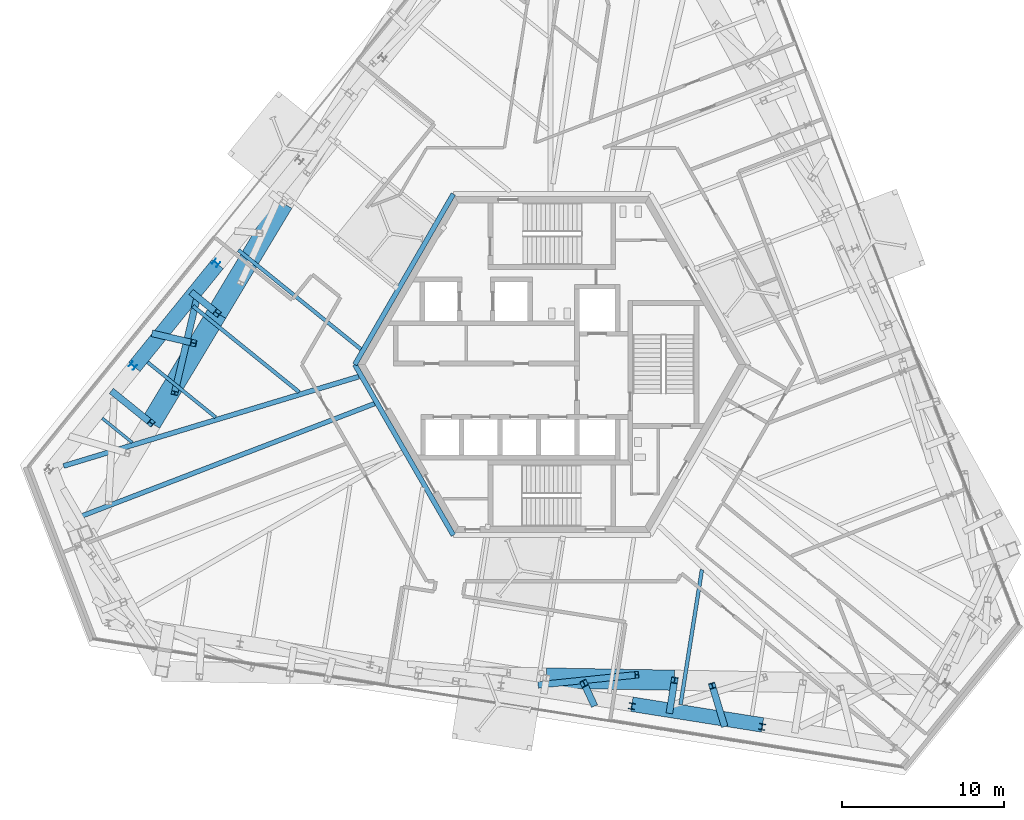
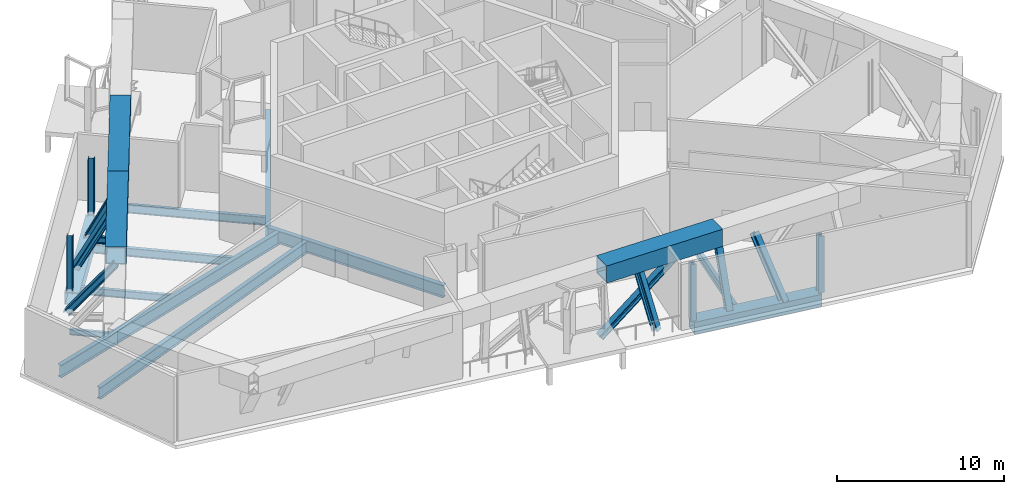
# One storey, part 2 of 14: 17 members, 9 beams.
"""IFC4 building model written with IfcOpenShell, lengths in metres."""

from ifc_helpers import new_model, si_unit, direction, frame, origin, origin_2d, place, context, subcontext, project, spatial, hollow_rectangle, i_section, extrude, source, transform, mapped, material, material_profile, profile_set, type_object, element, save


model = new_model("IFC4")

# Units and contexts
model_context = context("Model", 3, precision=1e-05, world=origin(), true_north=direction((0.0, 1.0)))
body_context = subcontext(model_context, "Body", "Model", "MODEL_VIEW")
ifc_project = project(units=[si_unit("LENGTHUNIT", "METRE"), si_unit("AREAUNIT", "SQUARE_METRE"), si_unit("VOLUMEUNIT", "CUBIC_METRE"), si_unit("PLANEANGLEUNIT", "RADIAN"), si_unit("MASSUNIT", "GRAM", prefix="KILO")], contexts=[model_context])

# Site, building, storey
site_placement = place(None, origin())
site = spatial("IfcSite", under=ifc_project, at=site_placement, CompositionType="ELEMENT")
building_placement = place(site_placement, origin())
building = spatial("IfcBuilding", under=site, at=building_placement, Name="Triune Harvest Tower", CompositionType="ELEMENT")
storey_placement = place(building_placement, frame((0.0, 0.0, 174.925048828125)))
storey = spatial("IfcBuildingStorey", under=building, at=storey_placement, Name="L45", CompositionType="ELEMENT", Elevation=174.925048828125)

# Beams
ifc_material_1 = material(Name="Steel ASTM A992 Gr 50", Category="steel")
ifc_material_profile_1 = material_profile(ifc_material_1, i_section(OverallWidth=0.307373046875, OverallDepth=0.922119140625, WebThickness=0.018310546875, FlangeThickness=0.030029296875, at=origin_2d()), Name="W36x182")
ifc_profile_set_1 = profile_set([ifc_material_profile_1], Name="Steel ASTM A992 Gr 50")
beam_type_1 = type_object("IfcBeamType", Name="HG-2 Hip girder W36x182", PredefinedType="BEAM", material=ifc_profile_set_1)
beam_1_placement = place(storey_placement, frame((-30.180419921875, -6.264892578125, -0.7109375), z_axis=(0.95709854869, 0.289762606448, 0.0), x_axis=(-0.289762606448, 0.95709854869, 0.0)))
element("IfcBeam", 1, at=beam_1_placement, inside=storey, type_object=beam_type_1, Name="beam/L45/HG5", PredefinedType="BEAM", context=body_context, shape_type="SweptSolid", body=[
    extrude(i_section(OverallWidth=0.307373046875, OverallDepth=0.922119140625, WebThickness=0.018310546875, FlangeThickness=0.030029296875, at=origin_2d()), origin(), (0.0, 0.0, 1.0), 19.072998046875),
])
ifc_material_2 = material(Name="Steel ASTM A992 Gr 50", Category="steel")
ifc_material_profile_2 = material_profile(ifc_material_2, i_section(OverallWidth=0.22900390625, OverallDepth=0.612060546875, WebThickness=0.011962890625, FlangeThickness=0.01953125, at=origin_2d()), Name="W24x84")
ifc_profile_set_2 = profile_set([ifc_material_profile_2], Name="Steel ASTM A992 Gr 50")
beam_type_2 = type_object("IfcBeamType", Name="JT-3 Floor joist W24x84", PredefinedType="JOIST", material=ifc_profile_set_2)
beam_2_placement = place(storey_placement, frame((-19.372802734375, 7.0810546875, -0.55615234375), z_axis=(0.777147968554, -0.629317912483, 0.0), x_axis=(0.629317912483, 0.777147968554, 0.0)))
element("IfcBeam", 2, at=beam_2_placement, inside=storey, type_object=beam_type_2, Name="beam/L45/JT19", PredefinedType="JOIST", context=body_context, shape_type="SweptSolid", body=[
    extrude(i_section(OverallWidth=0.22900390625, OverallDepth=0.612060546875, WebThickness=0.011962890625, FlangeThickness=0.01953125, at=origin_2d()), origin(), (0.0, 0.0, 1.0), 9.740478515625),
])
beam_3_placement = place(storey_placement, frame((7.9580078125, -21.015625, -0.55615234375), z_axis=(0.156452707557, 0.987685451092, 0.0), x_axis=(-0.987685451092, 0.156452707557, 0.0)))
element("IfcBeam", 3, at=beam_3_placement, inside=storey, type_object=beam_type_2, Name="beam/L45/JT32", PredefinedType="JOIST", context=body_context, shape_type="SweptSolid", body=[
    extrude(i_section(OverallWidth=0.22900390625, OverallDepth=0.612060546875, WebThickness=0.011962890625, FlangeThickness=0.01953125, at=origin_2d()), origin(), (0.0, 0.0, 1.0), 8.440673828125),
])

# Member
ifc_material_3 = material(Name="Steel ASTM A992 Gr 50", Category="steel")
ifc_material_profile_3 = material_profile(ifc_material_3, i_section(OverallWidth=0.411376953125, OverallDepth=0.434326171875, WebThickness=0.035888671875, FlangeThickness=0.057373046875, at=origin_2d()), Name="W14x311")
ifc_profile_set_3 = profile_set([ifc_material_profile_3], Name="Steel ASTM A992 Gr 50")
member_type_1 = type_object("IfcMemberType", Name="TD-2 Belt truss diagonal W14x311", PredefinedType="BRACE", material=ifc_profile_set_3)
member_1_placement = place(storey_placement, frame((2.555908203125, -20.919189453125, -0.324951171875), z_axis=(-0.135870026696, 0.291764244583, 0.946790875235), x_axis=(-0.906524111452, -0.422154042212, 0.0)))
element("IfcMember", 4, at=member_1_placement, inside=storey, type_object=member_type_1, Name="truss/L45/TD40", PredefinedType="BRACE", context=body_context, shape_type="SweptSolid", body=[
    extrude(i_section(OverallWidth=0.411376953125, OverallDepth=0.434326171875, WebThickness=0.035888671875, FlangeThickness=0.057373046875, at=origin_2d()), origin(), (0.0, 0.0, 1.0), 4.145263671875),
])

# Beams
ifc_material_4 = material(Name="Steel ASTM A992 Gr 50", Category="steel")
ifc_material_profile_4 = material_profile(ifc_material_4, i_section(OverallWidth=0.3046875, OverallDepth=0.914306640625, WebThickness=0.0166015625, FlangeThickness=0.02587890625, at=origin_2d()), Name="W36x160")
ifc_profile_set_4 = profile_set([ifc_material_profile_4], Name="Steel ASTM A992 Gr 50")
beam_type_3 = type_object("IfcBeamType", Name="CG-1 Core ring girder W36x160", PredefinedType="BEAM", material=ifc_profile_set_4)
shared_shape_1 = source(origin(), body_context, "Body", "SweptSolid", [
    extrude(i_section(OverallWidth=0.3046875, OverallDepth=0.914306640625, WebThickness=0.0166015625, FlangeThickness=0.02587890625, at=origin_2d()), origin(), (0.0, 0.0, 1.0), 12.176025390625),
])
for number, where, z_axis, x_axis, name in (
    (5, (-6.087890625, 10.544677734375, -0.707275390625), (-0.5000099932, -0.866019634131, 0.0), (0.866019634131, -0.5000099932, 0.0), "beam/L45/CG3"),
    (6, (-12.176025390625, 0.0, -0.707275390625), (0.5000099932, -0.866019634131, 0.0), (0.866019634131, 0.5000099932, 0.0), "beam/L45/CG4"),
):
    element("IfcBeam", number, at=place(storey_placement, frame(where, z_axis=z_axis, x_axis=x_axis)), inside=storey, type_object=beam_type_3, Name=name, PredefinedType="BEAM", context=body_context, shape_type="MappedRepresentation", body=[
        mapped(shared_shape_1, transform((0.0, 0.0, 0.0), scale=1.0)),
    ])
shared_shape_2 = source(origin(), body_context, "Body", "SweptSolid", [
    extrude(i_section(OverallWidth=0.22900390625, OverallDepth=0.612060546875, WebThickness=0.011962890625, FlangeThickness=0.01953125, at=origin_2d()), origin(), (0.0, 0.0, 1.0), 8.4404296875),
])
beam_4_placement = place(storey_placement, frame((-22.17919921875, 3.61572265625, -0.55615234375), z_axis=(0.777149885689, -0.629315544996, 0.0), x_axis=(0.629315544996, 0.777149885689, 0.0)))
element("IfcBeam", 7, at=beam_4_placement, inside=storey, type_object=beam_type_2, Name="beam/L45/JT20", PredefinedType="JOIST", context=body_context, shape_type="MappedRepresentation", body=[
    mapped(shared_shape_2, transform((0.0, 0.0, 0.0), scale=1.0)),
])
ifc_material_5 = material(Name="Steel ASTM A992 Gr 50", Category="steel")
ifc_material_profile_5 = material_profile(ifc_material_5, i_section(OverallWidth=0.2099609375, OverallDepth=0.535888671875, WebThickness=0.010986328125, FlangeThickness=0.017333984375, at=origin_2d()), Name="W21x68")
ifc_profile_set_5 = profile_set([ifc_material_profile_5], Name="Steel ASTM A992 Gr 50")
beam_type_4 = type_object("IfcBeamType", Name="JT-2 Floor joist W21x68", PredefinedType="JOIST", material=ifc_profile_set_5)
shared_shape_3 = source(origin(), body_context, "Body", "SweptSolid", [
    extrude(i_section(OverallWidth=0.2099609375, OverallDepth=0.535888671875, WebThickness=0.010986328125, FlangeThickness=0.017333984375, at=origin_2d()), origin(), (0.0, 0.0, 1.0), 5.4150390625),
])
beam_5_placement = place(storey_placement, frame((-24.9853515625, 0.150390625, -0.51806640625), z_axis=(0.777151416283, -0.62931365484, 0.0), x_axis=(0.62931365484, 0.777151416283, 0.0)))
element("IfcBeam", 8, at=beam_5_placement, inside=storey, type_object=beam_type_4, Name="beam/L45/JT21", PredefinedType="JOIST", context=body_context, shape_type="MappedRepresentation", body=[
    mapped(shared_shape_3, transform((0.0, 0.0, 0.0), scale=1.0)),
])
ifc_material_6 = material(Name="Steel ASTM A992 Gr 50", Category="steel")
ifc_material_profile_6 = material_profile(ifc_material_6, i_section(OverallWidth=0.180908203125, OverallDepth=0.41650390625, WebThickness=0.010986328125, FlangeThickness=0.01806640625, at=origin_2d()), Name="W16x57")
ifc_profile_set_6 = profile_set([ifc_material_profile_6], Name="Steel ASTM A992 Gr 50")
beam_type_5 = type_object("IfcBeamType", Name="JT-1 Floor joist W16x57", PredefinedType="JOIST", material=ifc_profile_set_6)
shared_shape_4 = source(origin(), body_context, "Body", "SweptSolid", [
    extrude(i_section(OverallWidth=0.180908203125, OverallDepth=0.41650390625, WebThickness=0.010986328125, FlangeThickness=0.01806640625, at=origin_2d()), origin(), (0.0, 0.0, 1.0), 2.3896484375),
])
beam_6_placement = place(storey_placement, frame((-27.79150390625, -3.31494140625, -0.458251953125), z_axis=(0.777147317526, -0.62931871644, 0.0), x_axis=(0.62931871644, 0.777147317526, 0.0)))
element("IfcBeam", 9, at=beam_6_placement, inside=storey, type_object=beam_type_5, Name="beam/L45/JT22", PredefinedType="JOIST", context=body_context, shape_type="MappedRepresentation", body=[
    mapped(shared_shape_4, transform((0.0, 0.0, 0.0), scale=1.0)),
])
ifc_material_7 = material(Name="Steel ASTM A992 Gr 50", Category="steel")
ifc_material_profile_7 = material_profile(ifc_material_7, i_section(OverallWidth=0.2919921875, OverallDepth=0.8583984375, WebThickness=0.01708984375, FlangeThickness=0.031005859375, at=origin_2d()), Name="W33x169")
ifc_profile_set_7 = profile_set([ifc_material_profile_7], Name="Steel ASTM A992 Gr 50")
beam_type_6 = type_object("IfcBeamType", Name="JT-7 Floor joist W33x169", PredefinedType="JOIST", material=ifc_profile_set_7)
shared_shape_5 = source(origin(), body_context, "Body", "SweptSolid", [
    extrude(i_section(OverallWidth=0.2919921875, OverallDepth=0.8583984375, WebThickness=0.01708984375, FlangeThickness=0.031005859375, at=origin_2d()), origin(), (0.0, 0.0, 1.0), 19.674560546875),
])
beam_7_placement = place(storey_placement, frame((-29.32666015625, -9.46337890625, -0.679443359375), z_axis=(0.933578877153, 0.3583719857, 0.0), x_axis=(-0.3583719857, 0.933578877153, 0.0)))
element("IfcBeam", 10, at=beam_7_placement, inside=storey, type_object=beam_type_6, Name="beam/L45/JT23", PredefinedType="JOIST", context=body_context, shape_type="MappedRepresentation", body=[
    mapped(shared_shape_5, transform((0.0, 0.0, 0.0), scale=1.0)),
])

# Members
ifc_material_8 = material(Name="Steel ASTM A992 Gr 50", Category="steel")
ifc_material_profile_8 = material_profile(ifc_material_8, i_section(OverallWidth=0.373291015625, OverallDepth=0.373291015625, WebThickness=0.016357421875, FlangeThickness=0.026123046875, at=origin_2d()), Name="W14x132")
ifc_profile_set_8 = profile_set([ifc_material_profile_8], Name="Steel ASTM A992 Gr 50")
member_type_2 = type_object("IfcMemberType", Name="WP-4 Roof edge post W14x132", PredefinedType="POST", material=ifc_profile_set_8)
shared_shape_6 = source(origin(), body_context, "Body", "SweptSolid", [
    extrude(i_section(OverallWidth=0.373291015625, OverallDepth=0.373291015625, WebThickness=0.016357421875, FlangeThickness=0.026123046875, at=origin_2d()), origin(), (0.0, 0.0, 1.0), 4.150634765625),
])
for number, where, z_axis, x_axis, name in (
    (11, (-20.751220703125, 6.28466796875, -0.25), (0.0, 0.0, 1.0), (-0.629321747424, -0.777144863084, 0.0), "post/L45/W12"),
    (12, (-25.89599609375, -0.068359375, -0.25), (0.0, 0.0, 1.0), (-0.629321747424, -0.777144863084, 0.0), "post/L45/W13"),
    (13, (4.932861328125, -21.113525390625, -0.25), (0.0, 0.0, 1.0), (0.987688340595, -0.15643446504, 0.0), "post/L45/W20"),
    (14, (13.007080078125, -22.392333984375, -0.25), (0.0, 0.0, 1.0), (0.987688340595, -0.15643446504, 0.0), "post/L45/W21"),
):
    element("IfcMember", number, at=place(storey_placement, frame(where, z_axis=z_axis, x_axis=x_axis)), inside=storey, type_object=member_type_2, Name=name, PredefinedType="POST", context=body_context, shape_type="MappedRepresentation", body=[
        mapped(shared_shape_6, transform((0.0, 0.0, 0.0), scale=1.0)),
    ])
ifc_material_9 = material(Name="Steel ASTM A572 Gr 50", Category="steel")
ifc_material_profile_9 = material_profile(ifc_material_9, hollow_rectangle(XDim=0.89990234375, YDim=0.89990234375, WallThickness=0.050048828125, at=origin_2d()), Name="Box 900x900x50")
ifc_profile_set_9 = profile_set([ifc_material_profile_9], Name="Steel ASTM A572 Gr 50")
member_type_3 = type_object("IfcMemberType", Name="TC-2 Belt truss chord Box 900x900x50", PredefinedType="CHORD", material=ifc_profile_set_9)
shared_shape_7 = source(origin(), body_context, "Body", "SweptSolid", [
    extrude(hollow_rectangle(XDim=0.89990234375, YDim=0.89990234375, WallThickness=0.050048828125, at=origin_2d()), origin(), (0.0, 0.0, 1.0), 8.175048828125),
])
member_2_placement = place(storey_placement, frame((-20.657958984375, 6.209228515625, -0.699951171875), z_axis=(-0.629334818401, -0.777134278196, 0.0), x_axis=(0.777134278196, -0.629334818401, 0.0)))
element("IfcMember", 15, at=member_2_placement, inside=storey, type_object=member_type_3, Name="truss/L45/TCB13", PredefinedType="CHORD", context=body_context, shape_type="MappedRepresentation", body=[
    mapped(shared_shape_7, transform((0.0, 0.0, 0.0), scale=1.0)),
])
shared_shape_8 = source(origin(), body_context, "Body", "SweptSolid", [
    extrude(hollow_rectangle(XDim=0.89990234375, YDim=0.89990234375, WallThickness=0.050048828125, at=origin_2d()), origin(), (0.0, 0.0, 1.0), 8.1748046875),
])
member_3_placement = place(storey_placement, frame((4.95166015625, -20.9951171875, -0.699951171875), z_axis=(0.987688756855, -0.156431836853, 0.0), x_axis=(0.156431836853, 0.987688756855, 0.0)))
element("IfcMember", 16, at=member_3_placement, inside=storey, type_object=member_type_3, Name="truss/L45/TCB21", PredefinedType="CHORD", context=body_context, shape_type="MappedRepresentation", body=[
    mapped(shared_shape_8, transform((0.0, 0.0, 0.0), scale=1.0)),
])
ifc_material_10 = material(Name="Steel ASTM A572 Gr 50", Category="steel")
ifc_material_profile_10 = material_profile(ifc_material_10, hollow_rectangle(XDim=1.25, YDim=1.25, WallThickness=0.070068359375, at=origin_2d()), Name="Box 1250x1250x70")
ifc_profile_set_10 = profile_set([ifc_material_profile_10], Name="Steel ASTM A572 Gr 50")
member_type_4 = type_object("IfcMemberType", Name="TC-1 Belt truss chord Box 1250x1250x70", PredefinedType="CHORD", material=ifc_profile_set_10)
shared_shape_9 = source(origin(), body_context, "Body", "SweptSolid", [
    extrude(hollow_rectangle(XDim=1.25, YDim=1.25, WallThickness=0.070068359375, at=origin_2d()), origin(), (0.0, 0.0, 1.0), 7.92724609375),
])
for number, where, z_axis, x_axis, name in (
    (17, (-16.607421875, 9.978759765625, 4.18994140625), (-0.515057246398, -0.857155781018, 0.0), (0.857155781018, -0.515057246398, 0.0), "truss/L45/TCT12"),
    (18, (-20.6904296875, 3.183837890625, 4.18994140625), (-0.515034618449, -0.857169377544, 0.0), (0.857169377544, -0.515034618449, 0.0), "truss/L45/TCT13"),
    (19, (-0.338134765625, -19.3720703125, 4.18994140625), (0.999847522428, -0.017462299252, 0.0), (0.017462299252, 0.999847522428, 0.0), "truss/L45/TCT20"),
):
    element("IfcMember", number, at=place(storey_placement, frame(where, z_axis=z_axis, x_axis=x_axis)), inside=storey, type_object=member_type_4, Name=name, PredefinedType="CHORD", context=body_context, shape_type="MappedRepresentation", body=[
        mapped(shared_shape_9, transform((0.0, 0.0, 0.0), scale=1.0)),
    ])
ifc_material_11 = material(Name="Steel ASTM A992 Gr 50", Category="steel")
ifc_material_profile_11 = material_profile(ifc_material_11, i_section(OverallWidth=0.411376953125, OverallDepth=0.434326171875, WebThickness=0.035888671875, FlangeThickness=0.057373046875, at=origin_2d()), Name="W14x311")
ifc_profile_set_11 = profile_set([ifc_material_profile_11], Name="Steel ASTM A992 Gr 50")
member_type_5 = type_object("IfcMemberType", Name="TV-1 Belt truss strut W14x311", PredefinedType="STRUT", material=ifc_profile_set_11)
shared_shape_10 = source(origin(), body_context, "Body", "SweptSolid", [
    extrude(i_section(OverallWidth=0.411376953125, OverallDepth=0.434326171875, WebThickness=0.035888671875, FlangeThickness=0.057373046875, at=origin_2d()), origin(), (0.0, 0.0, 1.0), 4.306396484375),
])
for number, where, z_axis, x_axis, name in (
    (20, (-22.150390625, 4.3662109375, -0.275146484375), (0.339020880646, -0.274561559359, 0.899822645085), (0.62935896442, 0.777114723773, 0.0), "truss/L45/TS13"),
    (21, (7.2939453125, -21.365966796875, -0.275146484375), (0.06825831173, 0.430866419556, 0.899830501472), (-0.98768275273, 0.156469741354, 0.0), "truss/L45/TS21"),
):
    element("IfcMember", number, at=place(storey_placement, frame(where, z_axis=z_axis, x_axis=x_axis)), inside=storey, type_object=member_type_5, Name=name, PredefinedType="STRUT", context=body_context, shape_type="MappedRepresentation", body=[
        mapped(shared_shape_10, transform((0.0, 0.0, 0.0), scale=1.0)),
    ])
shared_shape_11 = source(origin(), body_context, "Body", "SweptSolid", [
    extrude(i_section(OverallWidth=0.411376953125, OverallDepth=0.434326171875, WebThickness=0.035888671875, FlangeThickness=0.057373046875, at=origin_2d()), origin(), (0.0, 0.0, 1.0), 4.8896484375),
])
member_4_placement = place(storey_placement, frame((-27.0908203125, -1.734375, -0.275146484375), z_axis=(0.473982508965, -0.383809496093, 0.792483975803), x_axis=(0.629306555275, 0.777157165243, 0.0)))
element("IfcMember", 22, at=member_4_placement, inside=storey, type_object=member_type_5, Name="truss/L45/TS14", PredefinedType="STRUT", context=body_context, shape_type="MappedRepresentation", body=[
    mapped(shared_shape_11, transform((0.0, 0.0, 0.0), scale=1.0)),
])
shared_shape_12 = source(origin(), body_context, "Body", "SweptSolid", [
    extrude(i_section(OverallWidth=0.411376953125, OverallDepth=0.434326171875, WebThickness=0.035888671875, FlangeThickness=0.057373046875, at=origin_2d()), origin(), (0.0, 0.0, 1.0), 7.182861328125),
])
member_5_placement = place(storey_placement, frame((-0.726806640625, -19.791748046875, -0.324951171875), z_axis=(0.833071709624, 0.086196240539, 0.546408029536), x_axis=(-0.102918535425, 0.994689788359, 0.0)))
element("IfcMember", 23, at=member_5_placement, inside=storey, type_object=member_type_1, Name="truss/L45/TD39", PredefinedType="BRACE", context=body_context, shape_type="MappedRepresentation", body=[
    mapped(shared_shape_12, transform((0.0, 0.0, 0.0), scale=1.0)),
])
shared_shape_13 = source(origin(), body_context, "Body", "SweptSolid", [
    extrude(i_section(OverallWidth=0.411376953125, OverallDepth=0.434326171875, WebThickness=0.035888671875, FlangeThickness=0.057373046875, at=origin_2d()), origin(), (0.0, 0.0, 1.0), 7.24951171875),
])
member_6_placement = place(storey_placement, frame((-21.92138671875, 4.172119140625, -0.324951171875), z_axis=(-0.1922631085, -0.818490556835, 0.54139459314), x_axis=(0.973502726608, -0.22867540595, 0.0)))
element("IfcMember", 24, at=member_6_placement, inside=storey, type_object=member_type_1, Name="truss/L45/TD25", PredefinedType="BRACE", context=body_context, shape_type="MappedRepresentation", body=[
    mapped(shared_shape_13, transform((0.0, 0.0, 0.0), scale=1.0)),
])
shared_shape_14 = source(origin(), body_context, "Body", "SweptSolid", [
    extrude(i_section(OverallWidth=0.411376953125, OverallDepth=0.434326171875, WebThickness=0.035888671875, FlangeThickness=0.057373046875, at=origin_2d()), origin(), (0.0, 0.0, 1.0), 4.629638671875),
])
for number, where, z_axis, x_axis, name in (
    (25, (-24.539306640625, 1.89306640625, -0.324951171875), (0.516434368998, -0.120763270194, 0.847768703769), (0.227697933281, 0.973731816867, 0.0), "truss/L45/TD26"),
    (26, (10.630126953125, -22.1982421875, -0.324951171875), (-0.153669019228, 0.507624563859, 0.847763607792), (-0.957106318032, -0.289736942733, 0.0), "truss/L45/TD42"),
):
    element("IfcMember", number, at=place(storey_placement, frame(where, z_axis=z_axis, x_axis=x_axis)), inside=storey, type_object=member_type_1, Name=name, PredefinedType="BRACE", context=body_context, shape_type="MappedRepresentation", body=[
        mapped(shared_shape_14, transform((0.0, 0.0, 0.0), scale=1.0)),
    ])

save(model, "model.ifc")
